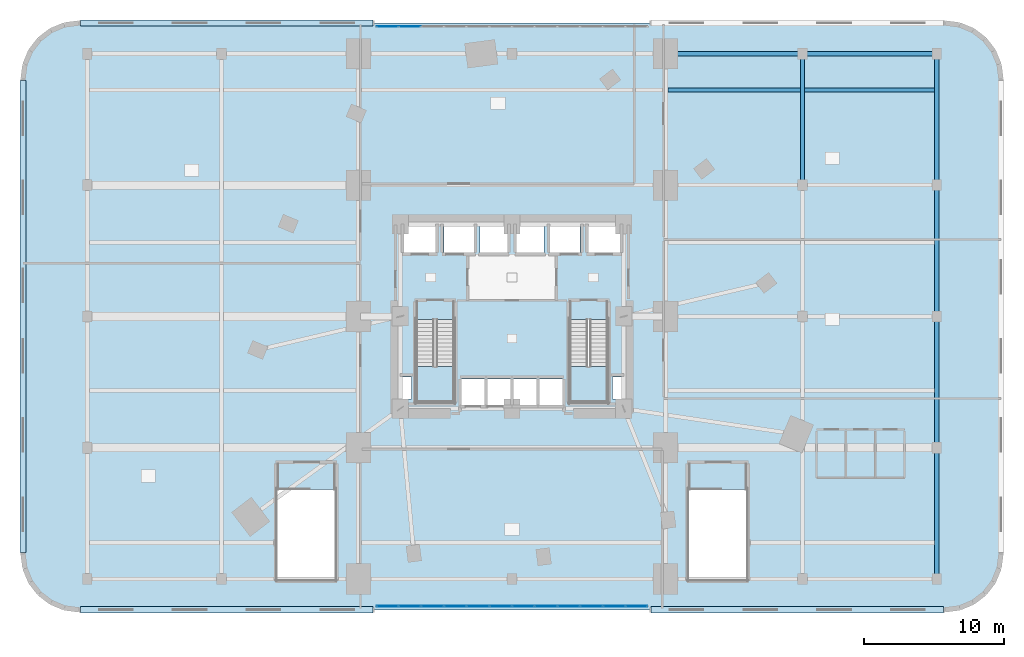
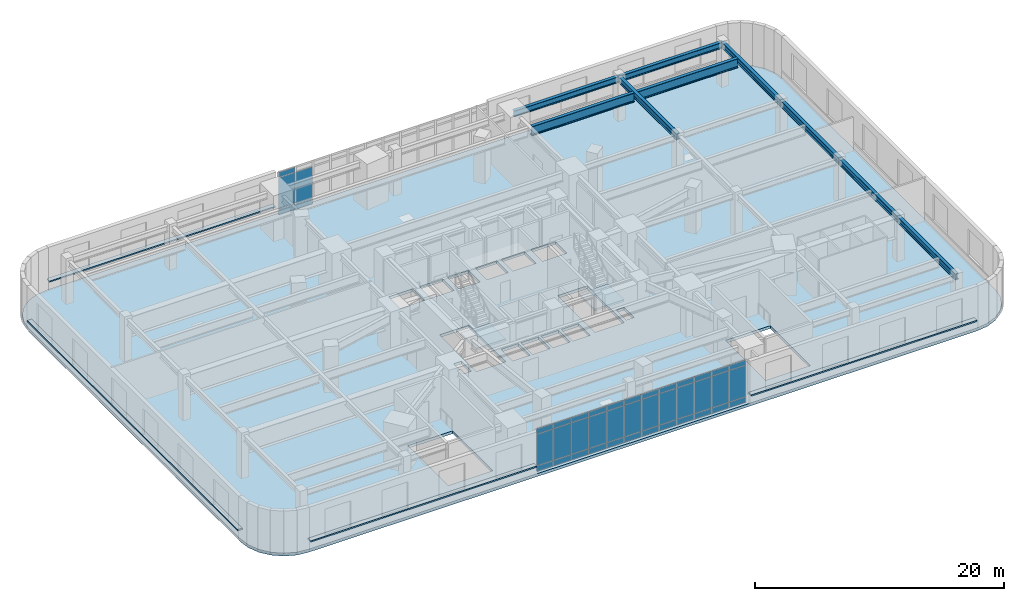
# One storey, part 11 of 20: 45 plates, 9 beams, 3 slabs, 4 elements without a shape of their own.
"""IFC4 building model written with IfcOpenShell, lengths in metres."""

from ifc_helpers import new_model, si_unit, direction, frame, origin, origin_2d, place, context, subcontext, project, spatial, polyline, rectangle, i_section, outline, extrude, material, layer, layer_set, material_profile, profile_set, type_object, element, aggregate, save


model = new_model("IFC4")

# Units and contexts
model_context = context("Model", 3, precision=1e-05, world=origin(), true_north=direction((0.0, 1.0)))
body_context = subcontext(model_context, "Body", "Model", "MODEL_VIEW")
ifc_project = project(units=[si_unit("LENGTHUNIT", "METRE"), si_unit("AREAUNIT", "SQUARE_METRE"), si_unit("VOLUMEUNIT", "CUBIC_METRE"), si_unit("PLANEANGLEUNIT", "RADIAN"), si_unit("MASSUNIT", "GRAM", prefix="KILO")], contexts=[model_context])

# Site, building, storey
site_placement = place(None, origin())
site = spatial("IfcSite", under=ifc_project, at=site_placement, CompositionType="ELEMENT")
building_placement = place(site_placement, origin())
building = spatial("IfcBuilding", under=site, at=building_placement, Name="Ndelora Gate Hotel", CompositionType="ELEMENT")
storey_placement = place(building_placement, frame((0.0, 0.0, 26.0)))
storey = spatial("IfcBuildingStorey", under=building, at=storey_placement, Name="L05", CompositionType="ELEMENT", Elevation=26.0)

# Beams
ifc_material_1 = material(Name="Steel S460", Category="steel")
ifc_material_profile_1 = material_profile(ifc_material_1, i_section(OverallWidth=0.300048828125, OverallDepth=0.89990234375, WebThickness=0.0185546875, FlangeThickness=0.034912109375, FilletRadius=0.030029296875, at=origin_2d()), Name="HEB 900")
ifc_profile_set_1 = profile_set([ifc_material_profile_1], Name="Steel S460")
beam_type_1 = type_object("IfcBeamType", Name="BM-BELT-900", PredefinedType="SPANDREL", material=ifc_profile_set_1)
beam_1_placement = place(storey_placement, frame((11.14990234375, 16.199951171875, 3.7900390625), z_axis=(1.0, 0.0, 0.0), x_axis=(0.0, 1.0, 0.0)))
element("IfcBeam", 1, at=beam_1_placement, inside=storey, type_object=beam_type_1, Name="L05 Podium Composite Secondary Joist 4", PredefinedType="SPANDREL", context=body_context, shape_type="SweptSolid", body=[
    extrude(i_section(OverallWidth=0.300048828125, OverallDepth=0.89990234375, WebThickness=0.0185546875, FlangeThickness=0.034912109375, FilletRadius=0.030029296875, at=origin_2d()), origin(), (0.0, 0.0, 1.0), 9.5),
])
beam_2_placement = place(storey_placement, frame((20.949951171875, 16.199951171875, 3.7900390625), z_axis=(1.0, 0.0, 0.0), x_axis=(0.0, 1.0, 0.0)))
element("IfcBeam", 2, at=beam_2_placement, inside=storey, type_object=beam_type_1, Name="L05 Podium Composite Secondary Joist 5", PredefinedType="SPANDREL", context=body_context, shape_type="SweptSolid", body=[
    extrude(i_section(OverallWidth=0.300048828125, OverallDepth=0.89990234375, WebThickness=0.0185546875, FlangeThickness=0.034912109375, FilletRadius=0.030029296875, at=origin_2d()), origin(), (0.0, 0.0, 1.0), 9.300048828125),
])
ifc_material_2 = material(Name="Steel S355", Category="steel")
ifc_material_profile_2 = material_profile(ifc_material_2, i_section(OverallWidth=0.300048828125, OverallDepth=0.60009765625, WebThickness=0.015380859375, FlangeThickness=0.030029296875, FilletRadius=0.027099609375, at=origin_2d()), Name="HEB 600")
ifc_profile_set_2 = profile_set([ifc_material_profile_2], Name="Steel S355")
beam_type_2 = type_object("IfcBeamType", Name="BM-POD-600", PredefinedType="BEAM", material=ifc_profile_set_2)
for number, where, z_axis, x_axis, name in (
    (3, (20.800048828125, 9.39990234375, 3.93994140625), (0.0, 1.0, 0.0), (-1.0, 0.0, 0.0), "L05 Podium Longitudinal Girder X=+20.8"),
    (4, (30.39990234375, -18.800048828125, 3.93994140625), (0.0, 1.0, 0.0), (-1.0, 0.0, 0.0), "L05 Podium Longitudinal Girder X=+30.4"),
):
    element("IfcBeam", number, at=place(storey_placement, frame(where, z_axis=z_axis, x_axis=x_axis)), inside=storey, type_object=beam_type_2, Name=name, PredefinedType="BEAM", context=body_context, shape_type="SweptSolid", body=[
        extrude(i_section(OverallWidth=0.300048828125, OverallDepth=0.60009765625, WebThickness=0.015380859375, FlangeThickness=0.030029296875, FilletRadius=0.027099609375, at=origin_2d()), origin(), (0.0, 0.0, 1.0), 9.400146484375),
    ])
for number, where, z_axis, x_axis, name in (
    (5, (30.39990234375, -9.39990234375, 3.93994140625), (0.0, 1.0, 0.0), (-1.0, 0.0, 0.0), "L05 Podium Longitudinal Girder X=+30.4"),
    (6, (30.39990234375, 0.0, 3.93994140625), (0.0, 1.0, 0.0), (-1.0, 0.0, 0.0), "L05 Podium Longitudinal Girder X=+30.4"),
):
    element("IfcBeam", number, at=place(storey_placement, frame(where, z_axis=z_axis, x_axis=x_axis)), inside=storey, type_object=beam_type_2, Name=name, PredefinedType="BEAM", context=body_context, shape_type="SweptSolid", body=[
        extrude(i_section(OverallWidth=0.300048828125, OverallDepth=0.60009765625, WebThickness=0.015380859375, FlangeThickness=0.030029296875, FilletRadius=0.027099609375, at=origin_2d()), origin(), (0.0, 0.0, 1.0), 9.39990234375),
    ])
beam_3_placement = place(storey_placement, frame((30.39990234375, 9.39990234375, 3.93994140625), z_axis=(0.0, 1.0, 0.0), x_axis=(-1.0, 0.0, 0.0)))
element("IfcBeam", 7, at=beam_3_placement, inside=storey, type_object=beam_type_2, Name="L05 Podium Longitudinal Girder X=+30.4", PredefinedType="BEAM", context=body_context, shape_type="SweptSolid", body=[
    extrude(i_section(OverallWidth=0.300048828125, OverallDepth=0.60009765625, WebThickness=0.015380859375, FlangeThickness=0.030029296875, FilletRadius=0.027099609375, at=origin_2d()), origin(), (0.0, 0.0, 1.0), 9.400146484375),
])
beam_4_placement = place(storey_placement, frame((11.0, 18.800048828125, 3.93994140625), z_axis=(1.0, 0.0, 0.0), x_axis=(0.0, 1.0, 0.0)))
element("IfcBeam", 8, at=beam_4_placement, inside=storey, type_object=beam_type_2, Name="L05 Podium Transverse Girder Y=+18.8", PredefinedType="BEAM", context=body_context, shape_type="SweptSolid", body=[
    extrude(i_section(OverallWidth=0.300048828125, OverallDepth=0.60009765625, WebThickness=0.015380859375, FlangeThickness=0.030029296875, FilletRadius=0.027099609375, at=origin_2d()), origin(), (0.0, 0.0, 1.0), 9.800048828125),
])
beam_5_placement = place(storey_placement, frame((20.800048828125, 18.800048828125, 3.93994140625), z_axis=(1.0, 0.0, 0.0), x_axis=(0.0, 1.0, 0.0)))
element("IfcBeam", 9, at=beam_5_placement, inside=storey, type_object=beam_type_2, Name="L05 Podium Transverse Girder Y=+18.8", PredefinedType="BEAM", context=body_context, shape_type="SweptSolid", body=[
    extrude(i_section(OverallWidth=0.300048828125, OverallDepth=0.60009765625, WebThickness=0.015380859375, FlangeThickness=0.030029296875, FilletRadius=0.027099609375, at=origin_2d()), origin(), (0.0, 0.0, 1.0), 9.599853515625),
])

# Curtain wall, plates
ifc_material_3 = material(Name="Bronze Anodised Unitised Aluminium and Low-E Glass", Category="aluminium")
ifc_layer_1 = layer(ifc_material_3, 0.219970703125)
ifc_layer_set_1 = layer_set([ifc_layer_1], Name="Bronze Anodised Unitised Aluminium and Low-E Glass")
curtain_wall_type = type_object("IfcCurtainWallType", Name="CW-SYS-2", PredefinedType="NOTDEFINED", material=ifc_layer_set_1)
curtain_wall_1_placement = place(storey_placement, origin())
curtain_wall_1 = element("IfcCurtainWall", 10, at=curtain_wall_1_placement, inside=storey, type_object=curtain_wall_type, Name="L05 South Podium Foyer Curtain Wall CW2", PredefinedType="NOTDEFINED")
ifc_material_4 = material(Name="Solar-Control Low-E Insulated Glazing", Category="glass")
ifc_layer_2 = layer(ifc_material_4, 0.048095703125)
ifc_layer_set_2 = layer_set([ifc_layer_2], Name="Solar-Control Low-E Insulated Glazing")
plate_type_1 = type_object("IfcPlateType", Name="PL-CW-GLZ36", PredefinedType="CURTAIN_PANEL", material=ifc_layer_set_2)
plate_1_placement = place(storey_placement, frame((-8.919921875, -20.75, 0.05908203125), z_axis=(0.0, 0.0, 1.0), x_axis=(1.0, 0.0, 0.0)))
plate_1 = element("IfcPlate", 11, at=plate_1_placement, type_object=plate_type_1, Name="CW2 panel 1.1", PredefinedType="CURTAIN_PANEL", context=body_context, shape_type="SweptSolid", body=[
    extrude(rectangle(XDim=1.531982421875, YDim=0.048095703125, at=origin_2d()), origin(), (0.0, 0.0, 1.0), 0.514404296875),
])
plate_2_placement = place(storey_placement, frame((-8.919921875, -20.75, 0.62646484375), z_axis=(0.0, 0.0, 1.0), x_axis=(1.0, 0.0, 0.0)))
plate_2 = element("IfcPlate", 12, at=plate_2_placement, type_object=plate_type_1, Name="CW2 panel 1.2", PredefinedType="CURTAIN_PANEL", context=body_context, shape_type="SweptSolid", body=[
    extrude(rectangle(XDim=1.531982421875, YDim=0.048095703125, at=origin_2d()), origin(), (0.0, 0.0, 1.0), 3.047119140625),
])
plate_3_placement = place(storey_placement, frame((-8.919921875, -20.75, 3.7265625), z_axis=(0.0, 0.0, 1.0), x_axis=(1.0, 0.0, 0.0)))
plate_3 = element("IfcPlate", 13, at=plate_3_placement, type_object=plate_type_1, Name="CW2 panel 1.3", PredefinedType="CURTAIN_PANEL", context=body_context, shape_type="SweptSolid", body=[
    extrude(rectangle(XDim=1.531982421875, YDim=0.048095703125, at=origin_2d()), origin(), (0.0, 0.0, 1.0), 0.464599609375),
])
plate_4_placement = place(storey_placement, frame((-7.3125, -20.75, 0.05908203125), z_axis=(0.0, 0.0, 1.0), x_axis=(1.0, 0.0, 0.0)))
plate_4 = element("IfcPlate", 14, at=plate_4_placement, type_object=plate_type_1, Name="CW2 panel 2.1", PredefinedType="CURTAIN_PANEL", context=body_context, shape_type="SweptSolid", body=[
    extrude(rectangle(XDim=1.56689453125, YDim=0.048095703125, at=origin_2d()), origin(), (0.0, 0.0, 1.0), 0.514404296875),
])
plate_5_placement = place(storey_placement, frame((-7.3125, -20.75, 0.62646484375), z_axis=(0.0, 0.0, 1.0), x_axis=(1.0, 0.0, 0.0)))
plate_5 = element("IfcPlate", 15, at=plate_5_placement, type_object=plate_type_1, Name="CW2 panel 2.2", PredefinedType="CURTAIN_PANEL", context=body_context, shape_type="SweptSolid", body=[
    extrude(rectangle(XDim=1.56689453125, YDim=0.048095703125, at=origin_2d()), origin(), (0.0, 0.0, 1.0), 3.047119140625),
])
plate_6_placement = place(storey_placement, frame((-7.3125, -20.75, 3.7265625), z_axis=(0.0, 0.0, 1.0), x_axis=(1.0, 0.0, 0.0)))
plate_6 = element("IfcPlate", 16, at=plate_6_placement, type_object=plate_type_1, Name="CW2 panel 2.3", PredefinedType="CURTAIN_PANEL", context=body_context, shape_type="SweptSolid", body=[
    extrude(rectangle(XDim=1.56689453125, YDim=0.048095703125, at=origin_2d()), origin(), (0.0, 0.0, 1.0), 0.464599609375),
])
plate_7_placement = place(storey_placement, frame((-5.6875, -20.75, 0.05908203125), z_axis=(0.0, 0.0, 1.0), x_axis=(1.0, 0.0, 0.0)))
plate_7 = element("IfcPlate", 17, at=plate_7_placement, type_object=plate_type_1, Name="CW2 panel 3.1", PredefinedType="CURTAIN_PANEL", context=body_context, shape_type="SweptSolid", body=[
    extrude(rectangle(XDim=1.56689453125, YDim=0.048095703125, at=origin_2d()), origin(), (0.0, 0.0, 1.0), 0.514404296875),
])
plate_8_placement = place(storey_placement, frame((-5.6875, -20.75, 0.62646484375), z_axis=(0.0, 0.0, 1.0), x_axis=(1.0, 0.0, 0.0)))
plate_8 = element("IfcPlate", 18, at=plate_8_placement, type_object=plate_type_1, Name="CW2 panel 3.2", PredefinedType="CURTAIN_PANEL", context=body_context, shape_type="SweptSolid", body=[
    extrude(rectangle(XDim=1.56689453125, YDim=0.048095703125, at=origin_2d()), origin(), (0.0, 0.0, 1.0), 3.047119140625),
])
plate_9_placement = place(storey_placement, frame((-5.6875, -20.75, 3.7265625), z_axis=(0.0, 0.0, 1.0), x_axis=(1.0, 0.0, 0.0)))
plate_9 = element("IfcPlate", 19, at=plate_9_placement, type_object=plate_type_1, Name="CW2 panel 3.3", PredefinedType="CURTAIN_PANEL", context=body_context, shape_type="SweptSolid", body=[
    extrude(rectangle(XDim=1.56689453125, YDim=0.048095703125, at=origin_2d()), origin(), (0.0, 0.0, 1.0), 0.464599609375),
])
plate_10_placement = place(storey_placement, frame((-4.0625, -20.75, 0.05908203125), z_axis=(0.0, 0.0, 1.0), x_axis=(1.0, 0.0, 0.0)))
plate_10 = element("IfcPlate", 20, at=plate_10_placement, type_object=plate_type_1, Name="CW2 panel 4.1", PredefinedType="CURTAIN_PANEL", context=body_context, shape_type="SweptSolid", body=[
    extrude(rectangle(XDim=1.56689453125, YDim=0.048095703125, at=origin_2d()), origin(), (0.0, 0.0, 1.0), 0.514404296875),
])
plate_11_placement = place(storey_placement, frame((-4.0625, -20.75, 0.62646484375), z_axis=(0.0, 0.0, 1.0), x_axis=(1.0, 0.0, 0.0)))
plate_11 = element("IfcPlate", 21, at=plate_11_placement, type_object=plate_type_1, Name="CW2 panel 4.2", PredefinedType="CURTAIN_PANEL", context=body_context, shape_type="SweptSolid", body=[
    extrude(rectangle(XDim=1.56689453125, YDim=0.048095703125, at=origin_2d()), origin(), (0.0, 0.0, 1.0), 3.047119140625),
])
plate_12_placement = place(storey_placement, frame((-4.0625, -20.75, 3.7265625), z_axis=(0.0, 0.0, 1.0), x_axis=(1.0, 0.0, 0.0)))
plate_12 = element("IfcPlate", 22, at=plate_12_placement, type_object=plate_type_1, Name="CW2 panel 4.3", PredefinedType="CURTAIN_PANEL", context=body_context, shape_type="SweptSolid", body=[
    extrude(rectangle(XDim=1.56689453125, YDim=0.048095703125, at=origin_2d()), origin(), (0.0, 0.0, 1.0), 0.464599609375),
])
plate_13_placement = place(storey_placement, frame((-2.4375, -20.75, 0.05908203125), z_axis=(0.0, 0.0, 1.0), x_axis=(1.0, 0.0, 0.0)))
plate_13 = element("IfcPlate", 23, at=plate_13_placement, type_object=plate_type_1, Name="CW2 panel 5.1", PredefinedType="CURTAIN_PANEL", context=body_context, shape_type="SweptSolid", body=[
    extrude(rectangle(XDim=1.56689453125, YDim=0.048095703125, at=origin_2d()), origin(), (0.0, 0.0, 1.0), 0.514404296875),
])
plate_14_placement = place(storey_placement, frame((-2.4375, -20.75, 0.62646484375), z_axis=(0.0, 0.0, 1.0), x_axis=(1.0, 0.0, 0.0)))
plate_14 = element("IfcPlate", 24, at=plate_14_placement, type_object=plate_type_1, Name="CW2 panel 5.2", PredefinedType="CURTAIN_PANEL", context=body_context, shape_type="SweptSolid", body=[
    extrude(rectangle(XDim=1.56689453125, YDim=0.048095703125, at=origin_2d()), origin(), (0.0, 0.0, 1.0), 3.047119140625),
])
plate_15_placement = place(storey_placement, frame((-2.4375, -20.75, 3.7265625), z_axis=(0.0, 0.0, 1.0), x_axis=(1.0, 0.0, 0.0)))
plate_15 = element("IfcPlate", 25, at=plate_15_placement, type_object=plate_type_1, Name="CW2 panel 5.3", PredefinedType="CURTAIN_PANEL", context=body_context, shape_type="SweptSolid", body=[
    extrude(rectangle(XDim=1.56689453125, YDim=0.048095703125, at=origin_2d()), origin(), (0.0, 0.0, 1.0), 0.464599609375),
])
plate_16_placement = place(storey_placement, frame((-0.8125, -20.75, 0.05908203125), z_axis=(0.0, 0.0, 1.0), x_axis=(1.0, 0.0, 0.0)))
plate_16 = element("IfcPlate", 26, at=plate_16_placement, type_object=plate_type_1, Name="CW2 panel 6.1", PredefinedType="CURTAIN_PANEL", context=body_context, shape_type="SweptSolid", body=[
    extrude(rectangle(XDim=1.56689453125, YDim=0.048095703125, at=origin_2d()), origin(), (0.0, 0.0, 1.0), 0.514404296875),
])
plate_17_placement = place(storey_placement, frame((-0.8125, -20.75, 0.62646484375), z_axis=(0.0, 0.0, 1.0), x_axis=(1.0, 0.0, 0.0)))
plate_17 = element("IfcPlate", 27, at=plate_17_placement, type_object=plate_type_1, Name="CW2 panel 6.2", PredefinedType="CURTAIN_PANEL", context=body_context, shape_type="SweptSolid", body=[
    extrude(rectangle(XDim=1.56689453125, YDim=0.048095703125, at=origin_2d()), origin(), (0.0, 0.0, 1.0), 3.047119140625),
])
plate_18_placement = place(storey_placement, frame((-0.8125, -20.75, 3.7265625), z_axis=(0.0, 0.0, 1.0), x_axis=(1.0, 0.0, 0.0)))
plate_18 = element("IfcPlate", 28, at=plate_18_placement, type_object=plate_type_1, Name="CW2 panel 6.3", PredefinedType="CURTAIN_PANEL", context=body_context, shape_type="SweptSolid", body=[
    extrude(rectangle(XDim=1.56689453125, YDim=0.048095703125, at=origin_2d()), origin(), (0.0, 0.0, 1.0), 0.464599609375),
])
plate_19_placement = place(storey_placement, frame((0.8125, -20.75, 0.05908203125), z_axis=(0.0, 0.0, 1.0), x_axis=(1.0, 0.0, 0.0)))
plate_19 = element("IfcPlate", 29, at=plate_19_placement, type_object=plate_type_1, Name="CW2 panel 7.1", PredefinedType="CURTAIN_PANEL", context=body_context, shape_type="SweptSolid", body=[
    extrude(rectangle(XDim=1.56689453125, YDim=0.048095703125, at=origin_2d()), origin(), (0.0, 0.0, 1.0), 0.514404296875),
])
plate_20_placement = place(storey_placement, frame((0.8125, -20.75, 0.62646484375), z_axis=(0.0, 0.0, 1.0), x_axis=(1.0, 0.0, 0.0)))
plate_20 = element("IfcPlate", 30, at=plate_20_placement, type_object=plate_type_1, Name="CW2 panel 7.2", PredefinedType="CURTAIN_PANEL", context=body_context, shape_type="SweptSolid", body=[
    extrude(rectangle(XDim=1.56689453125, YDim=0.048095703125, at=origin_2d()), origin(), (0.0, 0.0, 1.0), 3.047119140625),
])
plate_21_placement = place(storey_placement, frame((0.8125, -20.75, 3.7265625), z_axis=(0.0, 0.0, 1.0), x_axis=(1.0, 0.0, 0.0)))
plate_21 = element("IfcPlate", 31, at=plate_21_placement, type_object=plate_type_1, Name="CW2 panel 7.3", PredefinedType="CURTAIN_PANEL", context=body_context, shape_type="SweptSolid", body=[
    extrude(rectangle(XDim=1.56689453125, YDim=0.048095703125, at=origin_2d()), origin(), (0.0, 0.0, 1.0), 0.464599609375),
])
plate_22_placement = place(storey_placement, frame((2.4375, -20.75, 0.05908203125), z_axis=(0.0, 0.0, 1.0), x_axis=(1.0, 0.0, 0.0)))
plate_22 = element("IfcPlate", 32, at=plate_22_placement, type_object=plate_type_1, Name="CW2 panel 8.1", PredefinedType="CURTAIN_PANEL", context=body_context, shape_type="SweptSolid", body=[
    extrude(rectangle(XDim=1.56689453125, YDim=0.048095703125, at=origin_2d()), origin(), (0.0, 0.0, 1.0), 0.514404296875),
])
plate_23_placement = place(storey_placement, frame((2.4375, -20.75, 0.62646484375), z_axis=(0.0, 0.0, 1.0), x_axis=(1.0, 0.0, 0.0)))
plate_23 = element("IfcPlate", 33, at=plate_23_placement, type_object=plate_type_1, Name="CW2 panel 8.2", PredefinedType="CURTAIN_PANEL", context=body_context, shape_type="SweptSolid", body=[
    extrude(rectangle(XDim=1.56689453125, YDim=0.048095703125, at=origin_2d()), origin(), (0.0, 0.0, 1.0), 3.047119140625),
])
plate_24_placement = place(storey_placement, frame((2.4375, -20.75, 3.7265625), z_axis=(0.0, 0.0, 1.0), x_axis=(1.0, 0.0, 0.0)))
plate_24 = element("IfcPlate", 34, at=plate_24_placement, type_object=plate_type_1, Name="CW2 panel 8.3", PredefinedType="CURTAIN_PANEL", context=body_context, shape_type="SweptSolid", body=[
    extrude(rectangle(XDim=1.56689453125, YDim=0.048095703125, at=origin_2d()), origin(), (0.0, 0.0, 1.0), 0.464599609375),
])
plate_25_placement = place(storey_placement, frame((4.0625, -20.75, 0.05908203125), z_axis=(0.0, 0.0, 1.0), x_axis=(1.0, 0.0, 0.0)))
plate_25 = element("IfcPlate", 35, at=plate_25_placement, type_object=plate_type_1, Name="CW2 panel 9.1", PredefinedType="CURTAIN_PANEL", context=body_context, shape_type="SweptSolid", body=[
    extrude(rectangle(XDim=1.56689453125, YDim=0.048095703125, at=origin_2d()), origin(), (0.0, 0.0, 1.0), 0.514404296875),
])
plate_26_placement = place(storey_placement, frame((4.0625, -20.75, 0.62646484375), z_axis=(0.0, 0.0, 1.0), x_axis=(1.0, 0.0, 0.0)))
plate_26 = element("IfcPlate", 36, at=plate_26_placement, type_object=plate_type_1, Name="CW2 panel 9.2", PredefinedType="CURTAIN_PANEL", context=body_context, shape_type="SweptSolid", body=[
    extrude(rectangle(XDim=1.56689453125, YDim=0.048095703125, at=origin_2d()), origin(), (0.0, 0.0, 1.0), 3.047119140625),
])
plate_27_placement = place(storey_placement, frame((4.0625, -20.75, 3.7265625), z_axis=(0.0, 0.0, 1.0), x_axis=(1.0, 0.0, 0.0)))
plate_27 = element("IfcPlate", 37, at=plate_27_placement, type_object=plate_type_1, Name="CW2 panel 9.3", PredefinedType="CURTAIN_PANEL", context=body_context, shape_type="SweptSolid", body=[
    extrude(rectangle(XDim=1.56689453125, YDim=0.048095703125, at=origin_2d()), origin(), (0.0, 0.0, 1.0), 0.464599609375),
])
plate_28_placement = place(storey_placement, frame((5.6875, -20.75, 0.05908203125), z_axis=(0.0, 0.0, 1.0), x_axis=(1.0, 0.0, 0.0)))
plate_28 = element("IfcPlate", 38, at=plate_28_placement, type_object=plate_type_1, Name="CW2 panel 10.1", PredefinedType="CURTAIN_PANEL", context=body_context, shape_type="SweptSolid", body=[
    extrude(rectangle(XDim=1.56689453125, YDim=0.048095703125, at=origin_2d()), origin(), (0.0, 0.0, 1.0), 0.514404296875),
])
plate_29_placement = place(storey_placement, frame((5.6875, -20.75, 0.62646484375), z_axis=(0.0, 0.0, 1.0), x_axis=(1.0, 0.0, 0.0)))
plate_29 = element("IfcPlate", 39, at=plate_29_placement, type_object=plate_type_1, Name="CW2 panel 10.2", PredefinedType="CURTAIN_PANEL", context=body_context, shape_type="SweptSolid", body=[
    extrude(rectangle(XDim=1.56689453125, YDim=0.048095703125, at=origin_2d()), origin(), (0.0, 0.0, 1.0), 3.047119140625),
])
plate_30_placement = place(storey_placement, frame((5.6875, -20.75, 3.7265625), z_axis=(0.0, 0.0, 1.0), x_axis=(1.0, 0.0, 0.0)))
plate_30 = element("IfcPlate", 40, at=plate_30_placement, type_object=plate_type_1, Name="CW2 panel 10.3", PredefinedType="CURTAIN_PANEL", context=body_context, shape_type="SweptSolid", body=[
    extrude(rectangle(XDim=1.56689453125, YDim=0.048095703125, at=origin_2d()), origin(), (0.0, 0.0, 1.0), 0.464599609375),
])
plate_31_placement = place(storey_placement, frame((7.3125, -20.75, 0.05908203125), z_axis=(0.0, 0.0, 1.0), x_axis=(1.0, 0.0, 0.0)))
plate_31 = element("IfcPlate", 41, at=plate_31_placement, type_object=plate_type_1, Name="CW2 panel 11.1", PredefinedType="CURTAIN_PANEL", context=body_context, shape_type="SweptSolid", body=[
    extrude(rectangle(XDim=1.56689453125, YDim=0.048095703125, at=origin_2d()), origin(), (0.0, 0.0, 1.0), 0.514404296875),
])
plate_32_placement = place(storey_placement, frame((7.3125, -20.75, 0.62646484375), z_axis=(0.0, 0.0, 1.0), x_axis=(1.0, 0.0, 0.0)))
plate_32 = element("IfcPlate", 42, at=plate_32_placement, type_object=plate_type_1, Name="CW2 panel 11.2", PredefinedType="CURTAIN_PANEL", context=body_context, shape_type="SweptSolid", body=[
    extrude(rectangle(XDim=1.56689453125, YDim=0.048095703125, at=origin_2d()), origin(), (0.0, 0.0, 1.0), 3.047119140625),
])
plate_33_placement = place(storey_placement, frame((7.3125, -20.75, 3.7265625), z_axis=(0.0, 0.0, 1.0), x_axis=(1.0, 0.0, 0.0)))
plate_33 = element("IfcPlate", 43, at=plate_33_placement, type_object=plate_type_1, Name="CW2 panel 11.3", PredefinedType="CURTAIN_PANEL", context=body_context, shape_type="SweptSolid", body=[
    extrude(rectangle(XDim=1.56689453125, YDim=0.048095703125, at=origin_2d()), origin(), (0.0, 0.0, 1.0), 0.464599609375),
])
plate_34_placement = place(storey_placement, frame((8.919921875, -20.75, 0.05908203125), z_axis=(0.0, 0.0, 1.0), x_axis=(1.0, 0.0, 0.0)))
plate_34 = element("IfcPlate", 44, at=plate_34_placement, type_object=plate_type_1, Name="CW2 panel 12.1", PredefinedType="CURTAIN_PANEL", context=body_context, shape_type="SweptSolid", body=[
    extrude(rectangle(XDim=1.531982421875, YDim=0.048095703125, at=origin_2d()), origin(), (0.0, 0.0, 1.0), 0.514404296875),
])
plate_35_placement = place(storey_placement, frame((8.919921875, -20.75, 0.62646484375), z_axis=(0.0, 0.0, 1.0), x_axis=(1.0, 0.0, 0.0)))
plate_35 = element("IfcPlate", 45, at=plate_35_placement, type_object=plate_type_1, Name="CW2 panel 12.2", PredefinedType="CURTAIN_PANEL", context=body_context, shape_type="SweptSolid", body=[
    extrude(rectangle(XDim=1.531982421875, YDim=0.048095703125, at=origin_2d()), origin(), (0.0, 0.0, 1.0), 3.047119140625),
])
plate_36_placement = place(storey_placement, frame((8.919921875, -20.75, 3.7265625), z_axis=(0.0, 0.0, 1.0), x_axis=(1.0, 0.0, 0.0)))
plate_36 = element("IfcPlate", 46, at=plate_36_placement, type_object=plate_type_1, Name="CW2 panel 12.3", PredefinedType="CURTAIN_PANEL", context=body_context, shape_type="SweptSolid", body=[
    extrude(rectangle(XDim=1.531982421875, YDim=0.048095703125, at=origin_2d()), origin(), (0.0, 0.0, 1.0), 0.464599609375),
])
aggregate(curtain_wall_1, [plate_1, plate_2, plate_3, plate_4, plate_5, plate_6, plate_7, plate_8, plate_9, plate_10, plate_11, plate_12, plate_13, plate_14, plate_15, plate_16, plate_17, plate_18, plate_19, plate_20, plate_21, plate_22, plate_23, plate_24, plate_25, plate_26, plate_27, plate_28, plate_29, plate_30, plate_31, plate_32, plate_33, plate_34, plate_35, plate_36])

curtain_wall_2_placement = place(storey_placement, origin())
curtain_wall_2 = element("IfcCurtainWall", 47, at=curtain_wall_2_placement, inside=storey, type_object=curtain_wall_type, Name="L05 North Banquet Pre-Function Curtain Wall CW2", PredefinedType="NOTDEFINED")
plate_37_placement = place(storey_placement, frame((-7.3125, 20.75, 0.05908203125), z_axis=(0.0, 0.0, 1.0), x_axis=(-1.0, 0.0, 0.0)))
plate_37 = element("IfcPlate", 48, at=plate_37_placement, type_object=plate_type_1, Name="CW2 panel 11.1", PredefinedType="CURTAIN_PANEL", context=body_context, shape_type="SweptSolid", body=[
    extrude(rectangle(XDim=1.56689453125, YDim=0.048095703125, at=origin_2d()), origin(), (0.0, 0.0, 1.0), 0.514404296875),
])
plate_38_placement = place(storey_placement, frame((-7.3125, 20.75, 0.62646484375), z_axis=(0.0, 0.0, 1.0), x_axis=(-1.0, 0.0, 0.0)))
plate_38 = element("IfcPlate", 49, at=plate_38_placement, type_object=plate_type_1, Name="CW2 panel 11.2", PredefinedType="CURTAIN_PANEL", context=body_context, shape_type="SweptSolid", body=[
    extrude(rectangle(XDim=1.56689453125, YDim=0.048095703125, at=origin_2d()), origin(), (0.0, 0.0, 1.0), 3.047119140625),
])
plate_39_placement = place(storey_placement, frame((-8.919921875, 20.75, 0.05908203125), z_axis=(0.0, 0.0, 1.0), x_axis=(-1.0, 0.0, 0.0)))
plate_39 = element("IfcPlate", 50, at=plate_39_placement, type_object=plate_type_1, Name="CW2 panel 12.1", PredefinedType="CURTAIN_PANEL", context=body_context, shape_type="SweptSolid", body=[
    extrude(rectangle(XDim=1.531982421875, YDim=0.048095703125, at=origin_2d()), origin(), (0.0, 0.0, 1.0), 0.514404296875),
])
plate_40_placement = place(storey_placement, frame((-8.919921875, 20.75, 0.62646484375), z_axis=(0.0, 0.0, 1.0), x_axis=(-1.0, 0.0, 0.0)))
plate_40 = element("IfcPlate", 51, at=plate_40_placement, type_object=plate_type_1, Name="CW2 panel 12.2", PredefinedType="CURTAIN_PANEL", context=body_context, shape_type="SweptSolid", body=[
    extrude(rectangle(XDim=1.531982421875, YDim=0.048095703125, at=origin_2d()), origin(), (0.0, 0.0, 1.0), 3.047119140625),
])
plate_41_placement = place(storey_placement, frame((-8.919921875, 20.75, 3.7265625), z_axis=(0.0, 0.0, 1.0), x_axis=(-1.0, 0.0, 0.0)))
plate_41 = element("IfcPlate", 52, at=plate_41_placement, type_object=plate_type_1, Name="CW2 panel 12.3", PredefinedType="CURTAIN_PANEL", context=body_context, shape_type="SweptSolid", body=[
    extrude(rectangle(XDim=1.531982421875, YDim=0.048095703125, at=origin_2d()), origin(), (0.0, 0.0, 1.0), 0.464599609375),
])
aggregate(curtain_wall_2, [plate_37, plate_38, plate_39, plate_40, plate_41])

# Plates
ifc_material_5 = material(Name="Precast concrete C40/50", Category="concrete")
ifc_layer_3 = layer(ifc_material_5, 0.125)
ifc_layer_set_3 = layer_set([ifc_layer_3], Name="Precast concrete C40/50")
plate_type_2 = type_object("IfcPlateType", Name="PL-SILL-120", PredefinedType="USERDEFINED", material=ifc_layer_set_3)
plate_42_placement = place(storey_placement, frame((-20.425048828125, 21.0, 0.8173828125), z_axis=(0.0, 0.0, 1.0), x_axis=(1.0, 0.0, 0.0)))
element("IfcPlate", 53, at=plate_42_placement, inside=storey, type_object=plate_type_2, Name="L05 Precast Concrete Ribbon Sill Band 14", ObjectType="RIBBON_SILL", PredefinedType="USERDEFINED", context=body_context, shape_type="SweptSolid", body=[
    extrude(rectangle(XDim=20.949951171875, YDim=0.43994140625, at=origin_2d()), origin(), (0.0, 0.0, 1.0), 0.125),
])
plate_43_placement = place(storey_placement, frame((-35.0, 0.0, 0.8173828125), z_axis=(0.0, 0.0, 1.0), x_axis=(0.0, 1.0, 0.0)))
element("IfcPlate", 54, at=plate_43_placement, inside=storey, type_object=plate_type_2, Name="L05 Precast Concrete Ribbon Sill Band 22", ObjectType="RIBBON_SILL", PredefinedType="USERDEFINED", context=body_context, shape_type="SweptSolid", body=[
    extrude(rectangle(XDim=33.800048828125, YDim=0.43994140625, at=origin_2d()), origin(), (0.0, 0.0, 1.0), 0.125),
])
for number, where, z_axis, x_axis, name in (
    (55, (-20.425048828125, -21.0, 0.8173828125), (0.0, 0.0, 1.0), (1.0, 0.0, 0.0), "L05 Precast Concrete Ribbon Sill Band 29"),
    (56, (20.425048828125, -21.0, 0.8173828125), (0.0, 0.0, 1.0), (1.0, 0.0, 0.0), "L05 Precast Concrete Ribbon Sill Band 30"),
):
    element("IfcPlate", number, at=place(storey_placement, frame(where, z_axis=z_axis, x_axis=x_axis)), inside=storey, type_object=plate_type_2, Name=name, ObjectType="RIBBON_SILL", PredefinedType="USERDEFINED", context=body_context, shape_type="SweptSolid", body=[
        extrude(rectangle(XDim=20.949951171875, YDim=0.43994140625, at=origin_2d()), origin(), (0.0, 0.0, 1.0), 0.125),
    ])

# Stair, slab
stair_type = type_object("IfcStairType", Name="STR-DOG-CORE", PredefinedType="HALF_TURN_STAIR", material=ifc_material_5)
stair_1_placement = place(storey_placement, origin())
stair_1 = element("IfcStair", 57, at=stair_1_placement, inside=storey, type_object=stair_type, Name="L05 Protected Core Exit Stair ST4", PredefinedType="HALF_TURN_STAIR")
ifc_layer_4 = layer(ifc_material_5, 0.219970703125)
ifc_layer_set_4 = layer_set([ifc_layer_4], Name="Precast concrete C40/50")
slab_type_1 = type_object("IfcSlabType", Name="SL-LAND-220", PredefinedType="LANDING", material=ifc_layer_set_4)
slab_1_placement = place(storey_placement, frame((0.0, 0.0, 2.050048828125)))
slab_1 = element("IfcSlab", 58, at=slab_1_placement, type_object=slab_type_1, Name="ST4 landing 1", PredefinedType="LANDING", context=body_context, shape_type="SweptSolid", body=[
    extrude(outline(polyline([(-6.85009765625, -3.590087890625), (-6.85009765625, -6.14990234375), (-4.1298828125, -6.14990234375), (-4.1298828125, -3.590087890625), (-6.85009765625, -3.590087890625)])), origin(), (0.0, 0.0, 1.0), 0.199951171875),
])
aggregate(stair_1, [slab_1])

stair_2_placement = place(storey_placement, origin())
stair_2 = element("IfcStair", 59, at=stair_2_placement, inside=storey, type_object=stair_type, Name="L05 Protected Core Exit Stair ST5", PredefinedType="HALF_TURN_STAIR")
slab_2_placement = place(storey_placement, frame((0.0, 0.0, 2.050048828125)))
slab_2 = element("IfcSlab", 60, at=slab_2_placement, type_object=slab_type_1, Name="ST5 landing 1", PredefinedType="LANDING", context=body_context, shape_type="SweptSolid", body=[
    extrude(outline(polyline([(4.1298828125, -3.590087890625), (4.1298828125, -6.14990234375), (6.85009765625, -6.14990234375), (6.85009765625, -3.590087890625), (4.1298828125, -3.590087890625)])), origin(), (0.0, 0.0, 1.0), 0.199951171875),
])
aggregate(stair_2, [slab_2])

# Slab
ifc_material_6 = material(Name="Concrete C40/50", Category="concrete")
ifc_layer_5 = layer(ifc_material_6, 0.280029296875)
ifc_layer_set_5 = layer_set([ifc_layer_5], Name="Concrete C40/50")
slab_type_2 = type_object("IfcSlabType", Name="SL-POD-280", PredefinedType="FLOOR", material=ifc_layer_set_5)
slab_3_placement = place(storey_placement, frame((0.0, 0.0, -0.280029296875)))
element("IfcSlab", 61, at=slab_3_placement, inside=storey, type_object=slab_type_2, Name="L05 Structural Floor Slab", PredefinedType="FLOOR", context=body_context, shape_type="SweptSolid", body=[
    extrude(outline(polyline([(31.0, -21.0), (32.035400390625, -20.86376953125), (33.0, -20.464111328125), (33.828369140625, -19.828369140625), (34.464111328125, -19.0), (34.86376953125, -18.035400390625), (35.0, -17.0), (35.0, 17.0), (34.86376953125, 18.035400390625), (34.464111328125, 19.0), (33.828369140625, 19.828369140625), (33.0, 20.464111328125), (32.035400390625, 20.86376953125), (31.0, 21.0), (-31.0, 21.0), (-32.035400390625, 20.86376953125), (-33.0, 20.464111328125), (-33.828369140625, 19.828369140625), (-34.464111328125, 19.0), (-34.86376953125, 18.035400390625), (-35.0, 17.0), (-35.0, -17.0), (-34.86376953125, -18.035400390625), (-34.464111328125, -19.0), (-33.828369140625, -19.828369140625), (-33.0, -20.464111328125), (-32.035400390625, -20.86376953125), (-31.0, -21.0), (31.0, -21.0)]), holes=[polyline([(-6.85009765625, -0.22998046875), (-6.85009765625, -6.14990234375), (-4.1298828125, -6.14990234375), (-4.1298828125, -0.22998046875), (-6.85009765625, -0.22998046875)]), polyline([(4.1298828125, -0.22998046875), (4.1298828125, -6.14990234375), (6.85009765625, -6.14990234375), (6.85009765625, -0.22998046875), (4.1298828125, -0.22998046875)]), polyline([(-16.800048828125, -12.39990234375), (-16.800048828125, -18.85009765625), (-12.659912109375, -18.85009765625), (-12.659912109375, -12.39990234375), (-16.800048828125, -12.39990234375)]), polyline([(12.659912109375, -12.39990234375), (12.659912109375, -18.85009765625), (16.800048828125, -18.85009765625), (16.800048828125, -12.39990234375), (12.659912109375, -12.39990234375)]), polyline([(-7.72998046875, 4.570068359375), (-5.469970703125, 4.570068359375), (-5.469970703125, 6.429931640625), (-7.72998046875, 6.429931640625), (-7.72998046875, 4.570068359375)]), polyline([(5.469970703125, 4.570068359375), (7.72998046875, 4.570068359375), (7.72998046875, 6.429931640625), (5.469970703125, 6.429931640625), (5.469970703125, 4.570068359375)]), polyline([(-4.8798828125, 4.570068359375), (-2.719970703125, 4.570068359375), (-2.719970703125, 6.429931640625), (-4.8798828125, 6.429931640625), (-4.8798828125, 4.570068359375)]), polyline([(2.719970703125, 4.570068359375), (4.8798828125, 4.570068359375), (4.8798828125, 6.429931640625), (2.719970703125, 6.429931640625), (2.719970703125, 4.570068359375)]), polyline([(-3.60009765625, -6.330078125), (-1.97998046875, -6.330078125), (-1.97998046875, -4.469970703125), (-3.60009765625, -4.469970703125), (-3.60009765625, -6.330078125)]), polyline([(-1.739990234375, -6.330078125), (-0.1201171875, -6.330078125), (-0.1201171875, -4.469970703125), (-1.739990234375, -4.469970703125), (-1.739990234375, -6.330078125)]), polyline([(0.1201171875, -6.330078125), (1.739990234375, -6.330078125), (1.739990234375, -4.469970703125), (0.1201171875, -4.469970703125), (0.1201171875, -6.330078125)]), polyline([(1.97998046875, -6.330078125), (3.60009765625, -6.330078125), (3.60009765625, -4.469970703125), (1.97998046875, -4.469970703125), (1.97998046875, -6.330078125)]), polyline([(-2.280029296875, 4.570068359375), (-0.320068359375, 4.570068359375), (-0.320068359375, 6.429931640625), (-2.280029296875, 6.429931640625), (-2.280029296875, 4.570068359375)]), polyline([(0.320068359375, 4.570068359375), (2.280029296875, 4.570068359375), (2.280029296875, 6.429931640625), (0.320068359375, 6.429931640625), (0.320068359375, 4.570068359375)]), polyline([(-7.89990234375, -5.919921875), (-7.179931640625, -5.919921875), (-7.179931640625, -4.320068359375), (-7.89990234375, -4.320068359375), (-7.89990234375, -5.919921875)]), polyline([(7.179931640625, -5.919921875), (7.89990234375, -5.919921875), (7.89990234375, -4.320068359375), (7.179931640625, -4.320068359375), (7.179931640625, -5.919921875)])]), origin(), (0.0, 0.0, 1.0), 0.280029296875),
])

save(model, "model.ifc")
